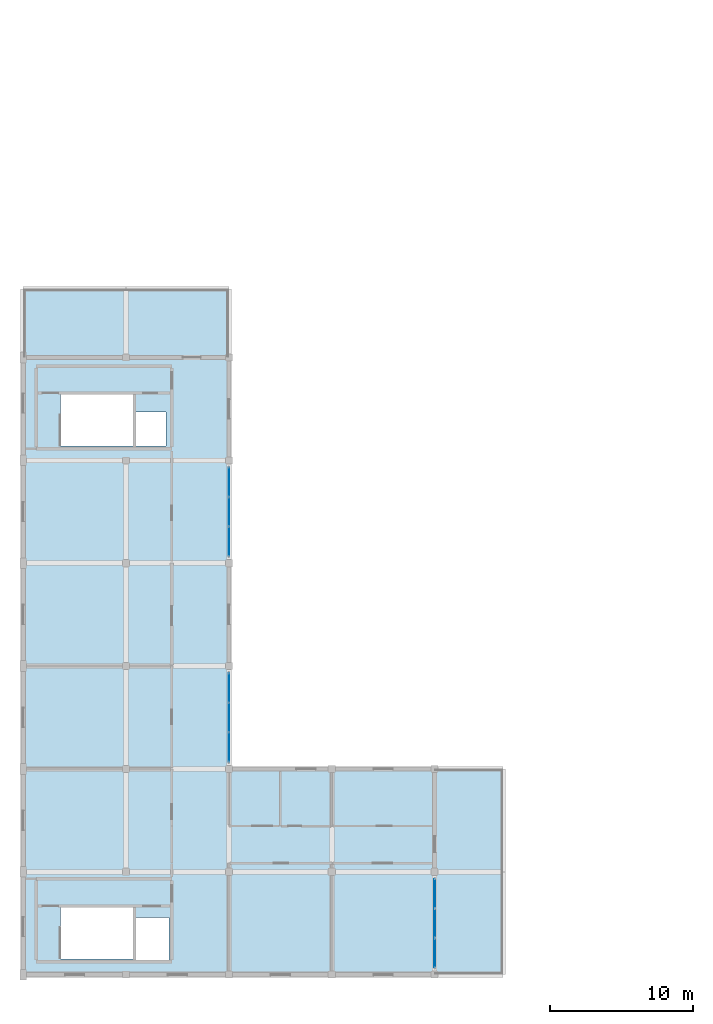
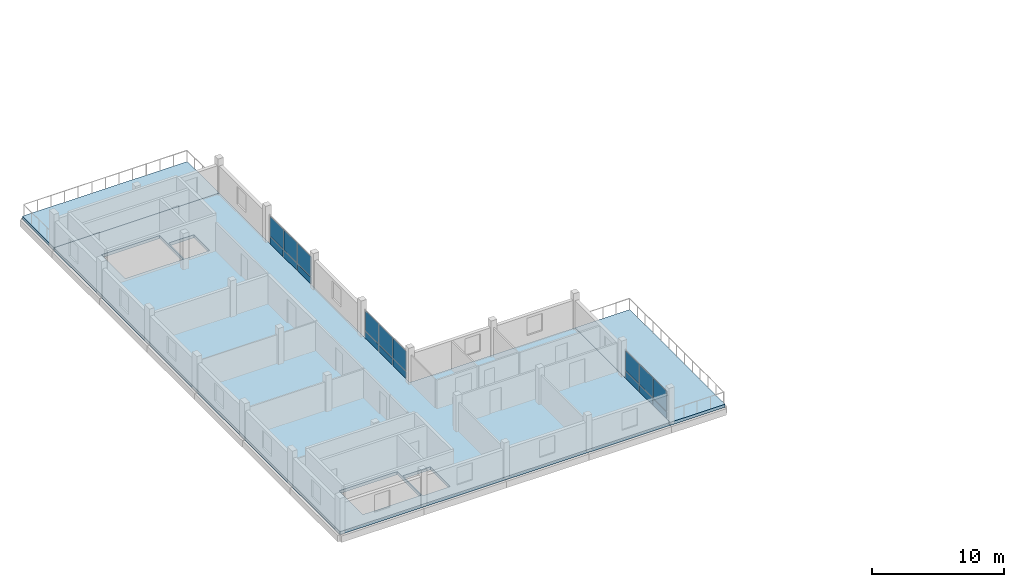
# One storey, part 12 of 18: 18 plates, 3 slabs, 3 elements without a shape of their own.
"""IFC4 building model written with IfcOpenShell, lengths in metres."""

from ifc_helpers import new_model, si_unit, direction, frame, origin, origin_2d, place, context, subcontext, project, spatial, polyline, rectangle, outline, extrude, material, layer, layer_set, type_object, element, aggregate, save


model = new_model("IFC4")

# Units and contexts
model_context = context("Model", 3, precision=1e-05, world=origin(), true_north=direction((0.0, 1.0)))
body_context = subcontext(model_context, "Body", "Model", "MODEL_VIEW")
ifc_project = project(units=[si_unit("LENGTHUNIT", "METRE"), si_unit("AREAUNIT", "SQUARE_METRE"), si_unit("VOLUMEUNIT", "CUBIC_METRE"), si_unit("PLANEANGLEUNIT", "RADIAN"), si_unit("MASSUNIT", "GRAM", prefix="KILO")], contexts=[model_context])

# Site, building, storey
site_placement = place(None, origin())
site = spatial("IfcSite", under=ifc_project, at=site_placement, CompositionType="ELEMENT")
building_placement = place(site_placement, origin())
building = spatial("IfcBuilding", under=site, at=building_placement, Name="Zornivar Specialist Clinic", CompositionType="ELEMENT")
storey_placement = place(building_placement, frame((0.0, 0.0, 23.39990234375)))
storey = spatial("IfcBuildingStorey", under=building, at=storey_placement, Name="L06", CompositionType="ELEMENT", Elevation=23.39990234375)

# Curtain wall, plates
ifc_material_1 = material(Name="Aluminium and Low-E Glass Curtain Wall", Category="aluminium")
curtain_wall_type = type_object("IfcCurtainWallType", Name="CW-REVAK-COURT", PredefinedType="NOTDEFINED", material=ifc_material_1)
curtain_wall_1_placement = place(storey_placement, origin())
curtain_wall_1 = element("IfcCurtainWall", 1, at=curtain_wall_1_placement, inside=storey, type_object=curtain_wall_type, Name="cw:V2:L06:04", PredefinedType="NOTDEFINED")
ifc_material_2 = material(Name="Insulated Limestone-Faced Spandrel Panel", Category="masonry")
ifc_layer_1 = layer(ifc_material_2, 0.05810546875)
ifc_layer_set_1 = layer_set([ifc_layer_1], Name="Insulated Limestone-Faced Spandrel Panel")
plate_type_1 = type_object("IfcPlateType", Name="CWP-SPN-D", PredefinedType="CURTAIN_PANEL", material=ifc_layer_set_1)
plate_1_placement = place(storey_placement, frame((28.800048828125, 1.52001953125, 0.029541015625), z_axis=(0.0, 0.0, 1.0), x_axis=(0.0, 1.0, 0.0)))
plate_1 = element("IfcPlate", 2, at=plate_1_placement, type_object=plate_type_1, Name="cw:V2:L06:04:spn:0", PredefinedType="CURTAIN_PANEL", context=body_context, shape_type="SweptSolid", body=[
    extrude(rectangle(XDim=2.010009765625, YDim=0.05810546875, at=origin_2d()), origin(), (0.0, 0.0, 1.0), 0.62890625),
])
plate_2_placement = place(storey_placement, frame((28.800048828125, 3.60009765625, 0.029541015625), z_axis=(0.0, 0.0, 1.0), x_axis=(0.0, 1.0, 0.0)))
plate_2 = element("IfcPlate", 3, at=plate_2_placement, type_object=plate_type_1, Name="cw:V2:L06:04:spn:1", PredefinedType="CURTAIN_PANEL", context=body_context, shape_type="SweptSolid", body=[
    extrude(rectangle(XDim=2.010009765625, YDim=0.05810546875, at=origin_2d()), origin(), (0.0, 0.0, 1.0), 0.62890625),
])
plate_3_placement = place(storey_placement, frame((28.800048828125, 5.679931640625, 0.029541015625), z_axis=(0.0, 0.0, 1.0), x_axis=(0.0, 1.0, 0.0)))
plate_3 = element("IfcPlate", 4, at=plate_3_placement, type_object=plate_type_1, Name="cw:V2:L06:04:spn:2", PredefinedType="CURTAIN_PANEL", context=body_context, shape_type="SweptSolid", body=[
    extrude(rectangle(XDim=2.010009765625, YDim=0.05810546875, at=origin_2d()), origin(), (0.0, 0.0, 1.0), 0.62890625),
])

curtain_wall_2_placement = place(storey_placement, origin())
curtain_wall_2 = element("IfcCurtainWall", 5, at=curtain_wall_2_placement, inside=storey, type_object=curtain_wall_type, Name="cw:V2:L06:08", PredefinedType="NOTDEFINED")
plate_4_placement = place(storey_placement, frame((14.39990234375, 15.919921875, 0.029541015625), z_axis=(0.0, 0.0, 1.0), x_axis=(0.0, 1.0, 0.0)))
plate_4 = element("IfcPlate", 6, at=plate_4_placement, type_object=plate_type_1, Name="cw:V2:L06:08:spn:0", PredefinedType="CURTAIN_PANEL", context=body_context, shape_type="SweptSolid", body=[
    extrude(rectangle(XDim=2.010009765625, YDim=0.05810546875, at=origin_2d()), origin(), (0.0, 0.0, 1.0), 0.62890625),
])
plate_5_placement = place(storey_placement, frame((14.39990234375, 18.0, 0.029541015625), z_axis=(0.0, 0.0, 1.0), x_axis=(0.0, 1.0, 0.0)))
plate_5 = element("IfcPlate", 7, at=plate_5_placement, type_object=plate_type_1, Name="cw:V2:L06:08:spn:1", PredefinedType="CURTAIN_PANEL", context=body_context, shape_type="SweptSolid", body=[
    extrude(rectangle(XDim=2.010009765625, YDim=0.05810546875, at=origin_2d()), origin(), (0.0, 0.0, 1.0), 0.62890625),
])
plate_6_placement = place(storey_placement, frame((14.39990234375, 20.080078125, 0.029541015625), z_axis=(0.0, 0.0, 1.0), x_axis=(0.0, 1.0, 0.0)))
plate_6 = element("IfcPlate", 8, at=plate_6_placement, type_object=plate_type_1, Name="cw:V2:L06:08:spn:2", PredefinedType="CURTAIN_PANEL", context=body_context, shape_type="SweptSolid", body=[
    extrude(rectangle(XDim=2.010009765625, YDim=0.05810546875, at=origin_2d()), origin(), (0.0, 0.0, 1.0), 0.62890625),
])

curtain_wall_3_placement = place(storey_placement, origin())
curtain_wall_3 = element("IfcCurtainWall", 9, at=curtain_wall_3_placement, inside=storey, type_object=curtain_wall_type, Name="cw:V2:L06:10", PredefinedType="NOTDEFINED")
plate_7_placement = place(storey_placement, frame((14.39990234375, 30.320068359375, 0.029541015625), z_axis=(0.0, 0.0, 1.0), x_axis=(0.0, 1.0, 0.0)))
plate_7 = element("IfcPlate", 10, at=plate_7_placement, type_object=plate_type_1, Name="cw:V2:L06:10:spn:0", PredefinedType="CURTAIN_PANEL", context=body_context, shape_type="SweptSolid", body=[
    extrude(rectangle(XDim=2.010009765625, YDim=0.05810546875, at=origin_2d()), origin(), (0.0, 0.0, 1.0), 0.62890625),
])
plate_8_placement = place(storey_placement, frame((14.39990234375, 32.39990234375, 0.029541015625), z_axis=(0.0, 0.0, 1.0), x_axis=(0.0, 1.0, 0.0)))
plate_8 = element("IfcPlate", 11, at=plate_8_placement, type_object=plate_type_1, Name="cw:V2:L06:10:spn:1", PredefinedType="CURTAIN_PANEL", context=body_context, shape_type="SweptSolid", body=[
    extrude(rectangle(XDim=2.010009765625, YDim=0.05810546875, at=origin_2d()), origin(), (0.0, 0.0, 1.0), 0.62890625),
])
plate_9_placement = place(storey_placement, frame((14.39990234375, 34.47998046875, 0.029541015625), z_axis=(0.0, 0.0, 1.0), x_axis=(0.0, 1.0, 0.0)))
plate_9 = element("IfcPlate", 12, at=plate_9_placement, type_object=plate_type_1, Name="cw:V2:L06:10:spn:2", PredefinedType="CURTAIN_PANEL", context=body_context, shape_type="SweptSolid", body=[
    extrude(rectangle(XDim=2.010009765625, YDim=0.05810546875, at=origin_2d()), origin(), (0.0, 0.0, 1.0), 0.62890625),
])

# Plate
ifc_material_3 = material(Name="Triple Low-E Vision Glass", Category="glass")
ifc_layer_2 = layer(ifc_material_3, 0.035888671875)
ifc_layer_set_2 = layer_set([ifc_layer_2], Name="Triple Low-E Vision Glass")
plate_type_2 = type_object("IfcPlateType", Name="CWP-VIS-F", PredefinedType="CURTAIN_PANEL", material=ifc_layer_set_2)
plate_10_placement = place(storey_placement, frame((14.39990234375, 15.919921875, 0.72412109375), z_axis=(0.0, 0.0, 1.0), x_axis=(0.0, 1.0, 0.0)))
plate_10 = element("IfcPlate", 13, at=plate_10_placement, type_object=plate_type_2, Name="cw:V2:L06:08:vis:0", PredefinedType="CURTAIN_PANEL", context=body_context, shape_type="SweptSolid", body=[
    extrude(rectangle(XDim=2.010009765625, YDim=0.035888671875, at=origin_2d()), origin(), (0.0, 0.0, 1.0), 1.825927734375),
])

plate_11_placement = place(storey_placement, frame((14.39990234375, 18.0, 0.72412109375), z_axis=(0.0, 0.0, 1.0), x_axis=(0.0, 1.0, 0.0)))
plate_11 = element("IfcPlate", 14, at=plate_11_placement, type_object=plate_type_2, Name="cw:V2:L06:08:vis:1", PredefinedType="CURTAIN_PANEL", context=body_context, shape_type="SweptSolid", body=[
    extrude(rectangle(XDim=2.010009765625, YDim=0.035888671875, at=origin_2d()), origin(), (0.0, 0.0, 1.0), 1.825927734375),
])

plate_12_placement = place(storey_placement, frame((14.39990234375, 20.080078125, 0.72412109375), z_axis=(0.0, 0.0, 1.0), x_axis=(0.0, 1.0, 0.0)))
plate_12 = element("IfcPlate", 15, at=plate_12_placement, type_object=plate_type_2, Name="cw:V2:L06:08:vis:2", PredefinedType="CURTAIN_PANEL", context=body_context, shape_type="SweptSolid", body=[
    extrude(rectangle(XDim=2.010009765625, YDim=0.035888671875, at=origin_2d()), origin(), (0.0, 0.0, 1.0), 1.825927734375),
])

aggregate(curtain_wall_2, [plate_4, plate_10, plate_5, plate_11, plate_6, plate_12])

ifc_material_4 = material(Name="Triple Low-E Vision Glass", Category="glass")
ifc_layer_3 = layer(ifc_material_4, 0.035888671875)
ifc_layer_set_3 = layer_set([ifc_layer_3], Name="Triple Low-E Vision Glass")
plate_type_3 = type_object("IfcPlateType", Name="CWP-VIS-G", PredefinedType="CURTAIN_PANEL", material=ifc_layer_set_3)
plate_13_placement = place(storey_placement, frame((28.800048828125, 1.52001953125, 0.72412109375), z_axis=(0.0, 0.0, 1.0), x_axis=(0.0, 1.0, 0.0)))
plate_13 = element("IfcPlate", 16, at=plate_13_placement, type_object=plate_type_3, Name="cw:V2:L06:04:vis:0", PredefinedType="CURTAIN_PANEL", context=body_context, shape_type="SweptSolid", body=[
    extrude(rectangle(XDim=2.010009765625, YDim=0.035888671875, at=origin_2d()), origin(), (0.0, 0.0, 1.0), 1.825927734375),
])

plate_14_placement = place(storey_placement, frame((28.800048828125, 3.60009765625, 0.72412109375), z_axis=(0.0, 0.0, 1.0), x_axis=(0.0, 1.0, 0.0)))
plate_14 = element("IfcPlate", 17, at=plate_14_placement, type_object=plate_type_3, Name="cw:V2:L06:04:vis:1", PredefinedType="CURTAIN_PANEL", context=body_context, shape_type="SweptSolid", body=[
    extrude(rectangle(XDim=2.010009765625, YDim=0.035888671875, at=origin_2d()), origin(), (0.0, 0.0, 1.0), 1.825927734375),
])

plate_15_placement = place(storey_placement, frame((28.800048828125, 5.679931640625, 0.72412109375), z_axis=(0.0, 0.0, 1.0), x_axis=(0.0, 1.0, 0.0)))
plate_15 = element("IfcPlate", 18, at=plate_15_placement, type_object=plate_type_3, Name="cw:V2:L06:04:vis:2", PredefinedType="CURTAIN_PANEL", context=body_context, shape_type="SweptSolid", body=[
    extrude(rectangle(XDim=2.010009765625, YDim=0.035888671875, at=origin_2d()), origin(), (0.0, 0.0, 1.0), 1.825927734375),
])

aggregate(curtain_wall_1, [plate_1, plate_13, plate_2, plate_14, plate_3, plate_15])

plate_16_placement = place(storey_placement, frame((14.39990234375, 30.320068359375, 0.72412109375), z_axis=(0.0, 0.0, 1.0), x_axis=(0.0, 1.0, 0.0)))
plate_16 = element("IfcPlate", 19, at=plate_16_placement, type_object=plate_type_3, Name="cw:V2:L06:10:vis:0", PredefinedType="CURTAIN_PANEL", context=body_context, shape_type="SweptSolid", body=[
    extrude(rectangle(XDim=2.010009765625, YDim=0.035888671875, at=origin_2d()), origin(), (0.0, 0.0, 1.0), 1.825927734375),
])

plate_17_placement = place(storey_placement, frame((14.39990234375, 32.39990234375, 0.72412109375), z_axis=(0.0, 0.0, 1.0), x_axis=(0.0, 1.0, 0.0)))
plate_17 = element("IfcPlate", 20, at=plate_17_placement, type_object=plate_type_3, Name="cw:V2:L06:10:vis:1", PredefinedType="CURTAIN_PANEL", context=body_context, shape_type="SweptSolid", body=[
    extrude(rectangle(XDim=2.010009765625, YDim=0.035888671875, at=origin_2d()), origin(), (0.0, 0.0, 1.0), 1.825927734375),
])

plate_18_placement = place(storey_placement, frame((14.39990234375, 34.47998046875, 0.72412109375), z_axis=(0.0, 0.0, 1.0), x_axis=(0.0, 1.0, 0.0)))
plate_18 = element("IfcPlate", 21, at=plate_18_placement, type_object=plate_type_3, Name="cw:V2:L06:10:vis:2", PredefinedType="CURTAIN_PANEL", context=body_context, shape_type="SweptSolid", body=[
    extrude(rectangle(XDim=2.010009765625, YDim=0.035888671875, at=origin_2d()), origin(), (0.0, 0.0, 1.0), 1.825927734375),
])

aggregate(curtain_wall_3, [plate_7, plate_16, plate_8, plate_17, plate_9, plate_18])

# Slabs
ifc_material_5 = material(Name="Concrete C30/37", Category="concrete")
ifc_layer_4 = layer(ifc_material_5, 0.280029296875)
ifc_layer_set_4 = layer_set([ifc_layer_4], Name="Concrete C30/37")
slab_type_1 = type_object("IfcSlabType", Name="SLB-EXT-TERR-280", PredefinedType="FLOOR", material=ifc_layer_set_4)
slab_1_placement = place(storey_placement, frame((0.0, 0.0, -0.27978515625)))
element("IfcSlab", 22, at=slab_1_placement, inside=storey, type_object=slab_type_1, Name="slab:V2:L06:terr:0", PredefinedType="FLOOR", context=body_context, shape_type="SweptSolid", body=[
    extrude(outline(polyline([(0.0, 43.199951171875), (14.39990234375, 43.199951171875), (14.39990234375, 48.0), (0.0, 48.0), (0.0, 43.199951171875)])), origin(), (0.0, 0.0, 1.0), 0.27978515625),
])
slab_2_placement = place(storey_placement, frame((0.0, 0.0, -0.27978515625)))
element("IfcSlab", 23, at=slab_2_placement, inside=storey, type_object=slab_type_1, Name="slab:V2:L06:terr:1", PredefinedType="FLOOR", context=body_context, shape_type="SweptSolid", body=[
    extrude(outline(polyline([(28.800048828125, 0.0), (33.60009765625, 0.0), (33.60009765625, 14.39990234375), (28.800048828125, 14.39990234375), (28.800048828125, 0.0)])), origin(), (0.0, 0.0, 1.0), 0.27978515625),
])
ifc_material_6 = material(Name="Concrete C30/37", Category="concrete")
ifc_layer_5 = layer(ifc_material_6, 0.280029296875)
ifc_layer_set_5 = layer_set([ifc_layer_5], Name="Concrete C30/37")
slab_type_2 = type_object("IfcSlabType", Name="SLB-FLR-280", PredefinedType="FLOOR", material=ifc_layer_set_5)
slab_3_placement = place(storey_placement, frame((0.0, 0.0, -0.27978515625)))
element("IfcSlab", 24, at=slab_3_placement, inside=storey, type_object=slab_type_2, Name="slab:V2:L06:main", PredefinedType="FLOOR", context=body_context, shape_type="SweptSolid", body=[
    extrude(outline(polyline([(0.0, 0.0), (28.800048828125, 0.0), (28.800048828125, 14.39990234375), (14.39990234375, 14.39990234375), (14.39990234375, 43.199951171875), (0.0, 43.199951171875), (0.0, 0.0)]), holes=[polyline([(2.6201171875, 1.10009765625), (7.699951171875, 1.10009765625), (7.699951171875, 4.699951171875), (2.6201171875, 4.699951171875), (2.6201171875, 1.10009765625)]), polyline([(7.800048828125, 1.0), (10.199951171875, 1.0), (10.199951171875, 4.0), (7.800048828125, 4.0), (7.800048828125, 1.0)]), polyline([(2.6201171875, 37.0), (7.699951171875, 37.0), (7.699951171875, 40.60009765625), (2.6201171875, 40.60009765625), (2.6201171875, 37.0)]), polyline([(7.800048828125, 37.0), (10.0, 37.0), (10.0, 39.39990234375), (7.800048828125, 39.39990234375), (7.800048828125, 37.0)])]), origin(), (0.0, 0.0, 1.0), 0.27978515625),
])

save(model, "model.ifc")
